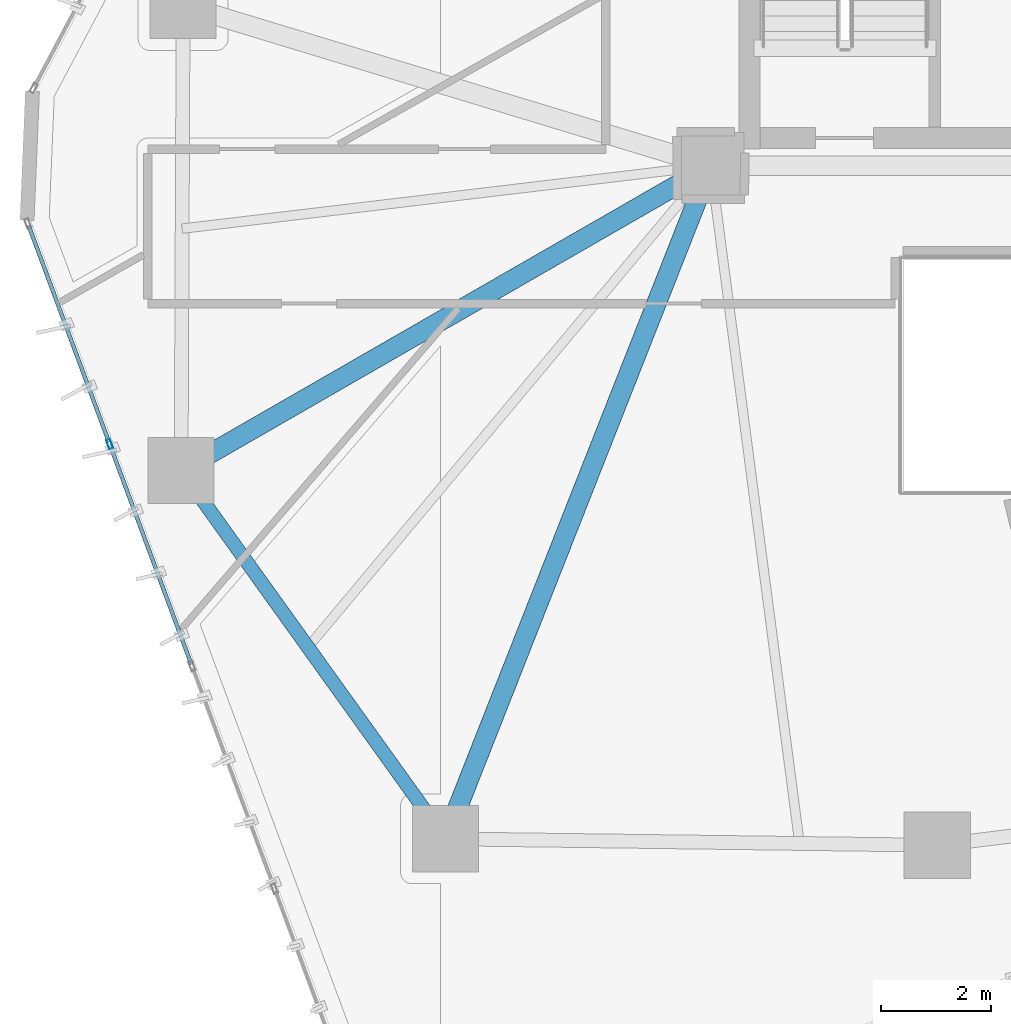
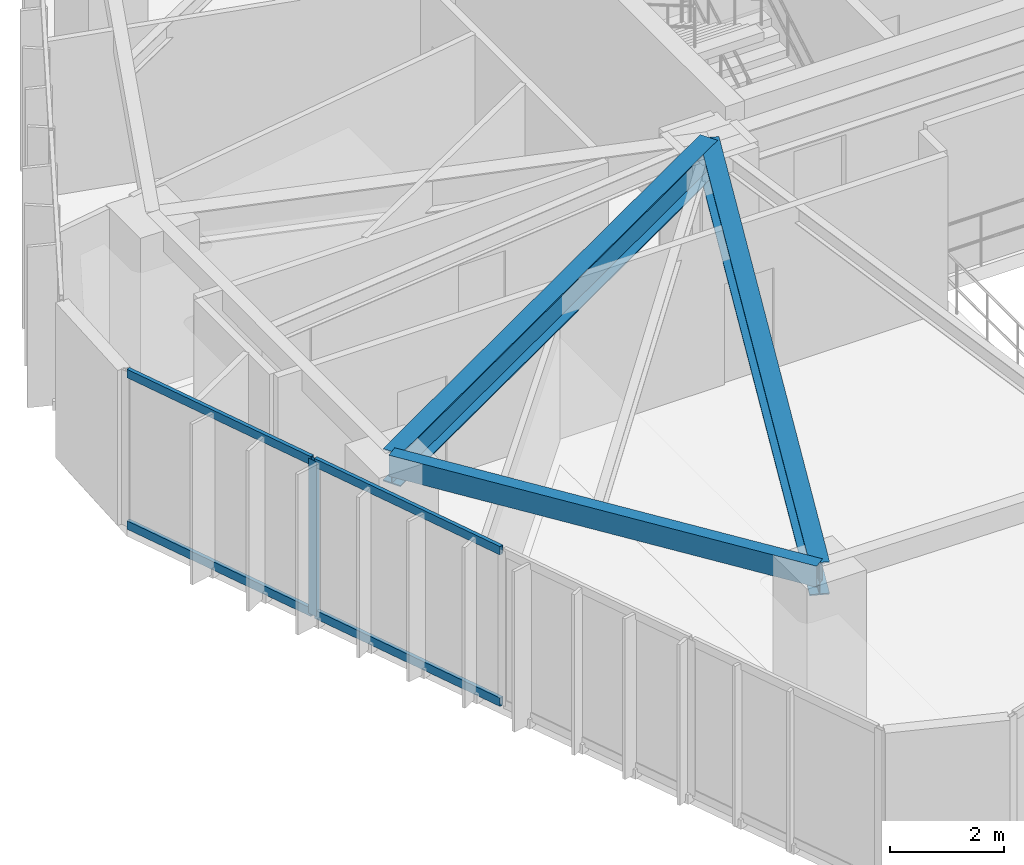
# One storey, part 3 of 21: 5 members, 3 beams, 1 element without a shape of its own.
"""IFC4 building model written with IfcOpenShell, lengths in metres."""

from ifc_helpers import new_model, si_unit, direction, frame, origin, origin_2d, place, context, subcontext, project, spatial, hollow_rectangle, i_section, extrude, source, transform, mapped, material, layer, layer_set, material_profile, profile_set, type_object, type_shapes, element, aggregate, save


model = new_model("IFC4")

# Units and contexts
model_context = context("Model", 3, precision=1e-05, world=origin(), true_north=direction((0.0, 1.0)))
body_context = subcontext(model_context, "Body", "Model", "MODEL_VIEW")
ifc_project = project(units=[si_unit("LENGTHUNIT", "METRE"), si_unit("AREAUNIT", "SQUARE_METRE"), si_unit("VOLUMEUNIT", "CUBIC_METRE"), si_unit("PLANEANGLEUNIT", "RADIAN"), si_unit("MASSUNIT", "GRAM", prefix="KILO")], contexts=[model_context])

# Site, building, storey
site_placement = place(None, origin())
site = spatial("IfcSite", under=ifc_project, at=site_placement, CompositionType="ELEMENT")
building_placement = place(site_placement, origin())
building = spatial("IfcBuilding", under=site, at=building_placement, Name="Talar Marvaseh", CompositionType="ELEMENT")
storey_placement = place(building_placement, frame((0.0, 0.0, 143.39990234375)))
storey = spatial("IfcBuildingStorey", under=building, at=storey_placement, Name="L37", CompositionType="ELEMENT", Elevation=143.39990234375)

# Beams
ifc_material_1 = material(Name="Steel S355", Category="steel")
ifc_material_profile_1 = material_profile(ifc_material_1, hollow_rectangle(XDim=0.25, YDim=0.449951171875, WallThickness=0.01611328125, at=origin_2d()), Name="RHS450x250x16")
ifc_profile_set_1 = profile_set([ifc_material_profile_1], Name="Steel S355")
beam_type_1 = type_object("IfcBeamType", Name="Zone 2 Perimeter Spandrel Beam RHS450x250x16", PredefinedType="SPANDREL", material=ifc_profile_set_1)
beam_1_placement = place(storey_placement, frame((13.89111328125, 13.299072265625, 3.085205078125), z_axis=(-0.582852871994, 0.812577706812, 0.0), x_axis=(-0.812577706812, -0.582852871994, 0.0)))
element("IfcBeam", 1, at=beam_1_placement, inside=storey, type_object=beam_type_1, Name="L37 Zone 2 Perimeter Spandrel Beam RHS450x250x16", PredefinedType="SPANDREL", context=body_context, shape_type="SweptSolid", body=[
    extrude(hollow_rectangle(XDim=0.25, YDim=0.449951171875, WallThickness=0.01611328125, at=origin_2d()), origin(), (0.0, 0.0, 1.0), 8.21826171875),
])
ifc_material_profile_2 = material_profile(ifc_material_1, i_section(OverallWidth=0.35498046875, OverallDepth=0.695068359375, WebThickness=0.015380859375, FlangeThickness=0.02490234375, at=origin_2d()), Name="W690x217")
ifc_profile_set_2 = profile_set([ifc_material_profile_2], Name="Steel S355")
beam_type_2 = type_object("IfcBeamType", Name="Zone 2 Radial Floor Girder W690x217", PredefinedType="BEAM", material=ifc_profile_set_2)
beam_2_placement = place(storey_placement, frame((13.89111328125, 13.299072265625, 2.962646484375), z_axis=(0.366683712786, 0.930345664136, 0.0), x_axis=(-0.930345664136, 0.366683712786, 0.0)))
element("IfcBeam", 2, at=beam_2_placement, inside=storey, type_object=beam_type_2, Name="L37 Zone 2 Radial Floor Girder W690x217", PredefinedType="BEAM", context=body_context, shape_type="SweptSolid", body=[
    extrude(i_section(OverallWidth=0.35498046875, OverallDepth=0.695068359375, WebThickness=0.015380859375, FlangeThickness=0.02490234375, at=origin_2d()), origin(), (0.0, 0.0, 1.0), 13.114501953125),
])
beam_3_placement = place(storey_placement, frame((9.10107421875, 19.97705078125, 2.962646484375), z_axis=(0.866765990926, 0.498715065919, 0.0), x_axis=(-0.498715065919, 0.866765990926, 0.0)))
element("IfcBeam", 3, at=beam_3_placement, inside=storey, type_object=beam_type_2, Name="L37 Zone 2 Radial Floor Girder W690x217", PredefinedType="BEAM", context=body_context, shape_type="SweptSolid", body=[
    extrude(i_section(OverallWidth=0.35498046875, OverallDepth=0.695068359375, WebThickness=0.015380859375, FlangeThickness=0.02490234375, at=origin_2d()), origin(), (0.0, 0.0, 1.0), 11.074462890625),
])

# Curtain wall, members
ifc_material_2 = material(Name="Architectural Aluminium", Category="aluminium")
ifc_layer = layer(ifc_material_2, 0.199951171875)
ifc_layer_set = layer_set([ifc_layer], Name="Architectural Aluminium")
curtain_wall_type = type_object("IfcCurtainWallType", Name="Unitised Acoustic Library Curtain Wall Z2", PredefinedType="NOTDEFINED", material=ifc_layer_set)
curtain_wall_placement = place(storey_placement, origin())
curtain_wall = element("IfcCurtainWall", 4, at=curtain_wall_placement, inside=storey, type_object=curtain_wall_type, Name="L37 Unitised Acoustic Library Curtain Wall Z2", PredefinedType="NOTDEFINED")
ifc_material_profile_3 = material_profile(ifc_material_2, hollow_rectangle(XDim=0.074951171875, YDim=0.179931640625, WallThickness=0.0048828125, at=origin_2d()), Name="RHS180x75x5")
ifc_profile_set_3 = profile_set([ifc_material_profile_3], Name="Architectural Aluminium")
member_type_1 = type_object("IfcMemberType", Name="Unitised Curtain Wall Standard Mullion RHS180x75x5", PredefinedType="MULLION", material=ifc_profile_set_3)
shared_shape_1 = source(origin(), body_context, "Body", "SweptSolid", [
    extrude(hollow_rectangle(XDim=0.074951171875, YDim=0.179931640625, WallThickness=0.0048828125, at=origin_2d()), origin(), (0.0, 0.0, 1.0), 3.31005859375),
])
type_shapes(member_type_1, [shared_shape_1])
member_1_placement = place(storey_placement, frame((7.806640625, 20.4560546875, 0.0), z_axis=(0.0, 0.0, 1.0), x_axis=(-0.93761038822, -0.347687733321, 0.0)))
member_1 = element("IfcMember", 5, at=member_1_placement, type_object=member_type_1, Name="CW-Z2 mullion 4", PredefinedType="MULLION", context=body_context, shape_type="MappedRepresentation", body=[
    mapped(shared_shape_1, transform((0.0, 0.0, 0.0), x_axis=(1.0, 0.0, 0.0), y_axis=(0.0, 1.0, 0.0), z_axis=(0.0, 0.0, 1.0), scale=1.0)),
])
ifc_material_profile_4 = material_profile(ifc_material_2, hollow_rectangle(XDim=0.074951171875, YDim=0.179931640625, WallThickness=0.0048828125, at=origin_2d()), Name="RHS180x75x5")
ifc_profile_set_4 = profile_set([ifc_material_profile_4], Name="Architectural Aluminium")
member_type_2 = type_object("IfcMemberType", Name="Unitised Curtain Wall Transom RHS180x75x5", PredefinedType="USERDEFINED", material=ifc_profile_set_4)
shared_shape_2 = source(origin(), body_context, "Body", "SweptSolid", [
    extrude(hollow_rectangle(XDim=0.074951171875, YDim=0.179931640625, WallThickness=0.0048828125, at=origin_2d()), origin(), (0.0, 0.0, 1.0), 4.222900390625),
])
member_2_placement = place(storey_placement, frame((9.287841796875, 16.46142578125, 0.03759765625), z_axis=(-0.34768714875, 0.937610604992, 0.0), x_axis=(-0.937610604992, -0.34768714875, 0.0)))
member_2 = element("IfcMember", 6, at=member_2_placement, type_object=member_type_2, Name="CW-Z2 transom 3.1", ObjectType="TRANSOM", PredefinedType="USERDEFINED", context=body_context, shape_type="MappedRepresentation", body=[
    mapped(shared_shape_2, transform((0.0, 0.0, 0.0), x_axis=(1.0, 0.0, 0.0), y_axis=(0.0, 1.0, 0.0), z_axis=(0.0, 0.0, 1.0), scale=1.0)),
])
member_3_placement = place(storey_placement, frame((9.287841796875, 16.46142578125, 3.272705078125), z_axis=(-0.34768714875, 0.937610604992, 0.0), x_axis=(-0.937610604992, -0.34768714875, 0.0)))
member_3 = element("IfcMember", 7, at=member_3_placement, type_object=member_type_2, Name="CW-Z2 transom 3.2", ObjectType="TRANSOM", PredefinedType="USERDEFINED", context=body_context, shape_type="MappedRepresentation", body=[
    mapped(shared_shape_2, transform((0.0, 0.0, 0.0), x_axis=(1.0, 0.0, 0.0), y_axis=(0.0, 1.0, 0.0), z_axis=(0.0, 0.0, 1.0), scale=1.0)),
])
shared_shape_3 = source(origin(), body_context, "Body", "SweptSolid", [
    extrude(hollow_rectangle(XDim=0.074951171875, YDim=0.179931640625, WallThickness=0.0048828125, at=origin_2d()), origin(), (0.0, 0.0, 1.0), 4.18505859375),
])
type_shapes(member_type_2, [shared_shape_2, shared_shape_3])
member_4_placement = place(storey_placement, frame((7.79345703125, 20.4912109375, 0.03759765625), z_axis=(-0.347675316151, 0.937614992702, 0.0), x_axis=(-0.937614992702, -0.347675316151, 0.0)))
member_4 = element("IfcMember", 8, at=member_4_placement, type_object=member_type_2, Name="CW-Z2 transom 4.1", ObjectType="TRANSOM", PredefinedType="USERDEFINED", context=body_context, shape_type="MappedRepresentation", body=[
    mapped(shared_shape_3, transform((0.0, 0.0, 0.0), x_axis=(1.0, 0.0, 0.0), y_axis=(0.0, 1.0, 0.0), z_axis=(0.0, 0.0, 1.0), scale=1.0)),
])
member_5_placement = place(storey_placement, frame((7.79345703125, 20.4912109375, 3.272705078125), z_axis=(-0.347675316151, 0.937614992702, 0.0), x_axis=(-0.937614992702, -0.347675316151, 0.0)))
member_5 = element("IfcMember", 9, at=member_5_placement, type_object=member_type_2, Name="CW-Z2 transom 4.2", ObjectType="TRANSOM", PredefinedType="USERDEFINED", context=body_context, shape_type="MappedRepresentation", body=[
    mapped(shared_shape_3, transform((0.0, 0.0, 0.0), x_axis=(1.0, 0.0, 0.0), y_axis=(0.0, 1.0, 0.0), z_axis=(0.0, 0.0, 1.0), scale=1.0)),
])
aggregate(curtain_wall, [member_1, member_2, member_3, member_4, member_5])

save(model, "model.ifc")
